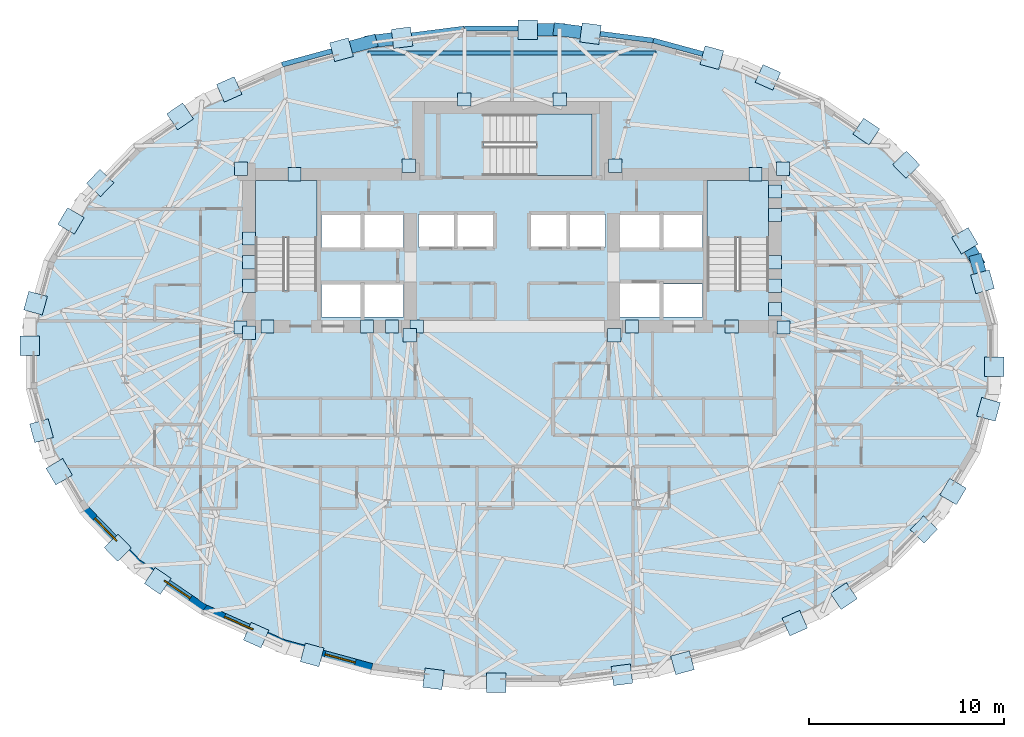
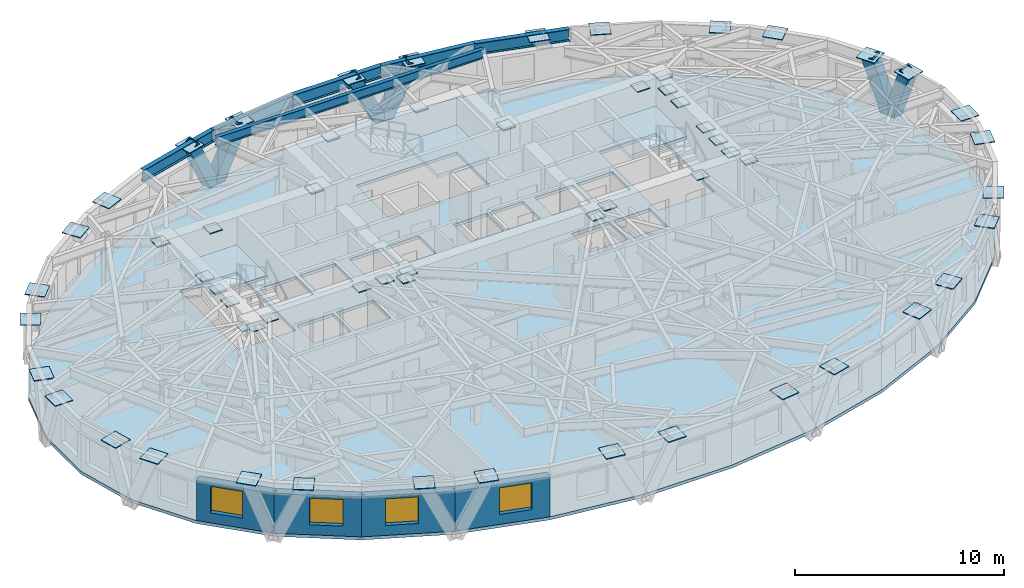
# One storey, part 5 of 15: 59 plates, 6 beams, 6 members, 4 slabs, 4 walls, 4 windows, 4 openings, 3 elements without a shape of their own.
"""IFC4 building model written with IfcOpenShell, lengths in metres."""

from ifc_helpers import new_model, si_unit, direction, frame, frame_2d, origin, origin_2d, place, context, subcontext, project, spatial, polyline, rectangle, hollow_rectangle, i_section, outline, extrude, material, layer, layer_set, material_profile, profile_set, type_object, element, fill, aggregate, save


model = new_model("IFC4")

# Units and contexts
model_context = context("Model", 3, precision=1e-05, world=origin(), true_north=direction((0.0, 1.0)))
body_context = subcontext(model_context, "Body", "Model", "MODEL_VIEW")
ifc_project = project(units=[si_unit("LENGTHUNIT", "METRE"), si_unit("AREAUNIT", "SQUARE_METRE"), si_unit("VOLUMEUNIT", "CUBIC_METRE"), si_unit("PLANEANGLEUNIT", "RADIAN"), si_unit("MASSUNIT", "GRAM", prefix="KILO")], contexts=[model_context])

# Site, building, storey
site_placement = place(None, origin())
site = spatial("IfcSite", under=ifc_project, at=site_placement, CompositionType="ELEMENT")
building_placement = place(site_placement, origin())
building = spatial("IfcBuilding", under=site, at=building_placement, Name="Keldmark Tower", CompositionType="ELEMENT")
storey_placement = place(building_placement, frame((0.0, 0.0, 166.199951171875)))
storey = spatial("IfcBuildingStorey", under=building, at=storey_placement, Name="L45", CompositionType="ELEMENT", Elevation=166.199951171875)

# Members
ifc_material_1 = material(Name="Steel ASTM A572 Grade 50", Category="steel")
ifc_material_profile_1 = material_profile(ifc_material_1, hollow_rectangle(XDim=0.64990234375, YDim=0.64990234375, WallThickness=0.0400390625, at=origin_2d()), Name="BOX650X650X40")
ifc_profile_set_1 = profile_set([ifc_material_profile_1], Name="Steel ASTM A572 Grade 50")
member_type = type_object("IfcMemberType", Name="Diagrid Zone 3 Brace BOX650X650X40", PredefinedType="BRACE", material=ifc_profile_set_1)
member_1_placement = place(storey_placement, frame((23.797119140625, 4.89990234375, -0.260009765625), z_axis=(0.090314947271, -0.323197970047, 0.942011827132), x_axis=(0.963103534488, 0.269131161067, 0.0)))
element("IfcMember", 1, at=member_1_placement, inside=storey, type_object=member_type, Name="L45 Perimeter Diagrid Brace 01A", PredefinedType="BRACE", context=body_context, shape_type="SweptSolid", body=[
    extrude(hollow_rectangle(XDim=0.64990234375, YDim=0.64990234375, WallThickness=0.0400390625, at=origin_2d()), origin(), (0.0, 0.0, 1.0), 3.354736328125),
])
member_2_placement = place(storey_placement, frame((23.799560546875, 4.88818359375, -0.260009765625), z_axis=(-0.17962219143, 0.303875932705, 0.93562561202), x_axis=(-0.860853140724, -0.508853485894, 0.0)))
element("IfcMember", 2, at=member_2_placement, inside=storey, type_object=member_type, Name="L45 Perimeter Diagrid Brace 01B", PredefinedType="BRACE", context=body_context, shape_type="SweptSolid", body=[
    extrude(hollow_rectangle(XDim=0.64990234375, YDim=0.64990234375, WallThickness=0.0400390625, at=origin_2d()), origin(), (0.0, 0.0, 1.0), 3.377685546875),
])
member_3_placement = place(storey_placement, frame((2.421875, 16.730712890625, -0.260009765625), z_axis=(0.450753018581, -0.057875311241, 0.890770545421), x_axis=(0.127351493636, 0.991857649599, 0.0)))
element("IfcMember", 3, at=member_3_placement, inside=storey, type_object=member_type, Name="L45 Perimeter Diagrid Brace 04A", PredefinedType="BRACE", context=body_context, shape_type="SweptSolid", body=[
    extrude(hollow_rectangle(XDim=0.64990234375, YDim=0.64990234375, WallThickness=0.0400390625, at=origin_2d()), origin(), (0.0, 0.0, 1.0), 3.547607421875),
])
member_4_placement = place(storey_placement, frame((2.433349609375, 16.728515625, -0.260009765625), z_axis=(-0.457569956339, 0.0, 0.889173624809), x_axis=(0.0, -1.0, 0.0)))
element("IfcMember", 4, at=member_4_placement, inside=storey, type_object=member_type, Name="L45 Perimeter Diagrid Brace 04B", PredefinedType="BRACE", context=body_context, shape_type="SweptSolid", body=[
    extrude(hollow_rectangle(XDim=0.64990234375, YDim=0.64990234375, WallThickness=0.0400390625, at=origin_2d()), origin(), (0.0, 0.0, 1.0), 3.553955078125),
])
member_5_placement = place(storey_placement, frame((-7.23095703125, 16.112060546875, -0.260009765625), z_axis=(0.450753018581, 0.057875311241, 0.890770545421), x_axis=(-0.127351493636, 0.991857649599, 0.0)))
element("IfcMember", 5, at=member_5_placement, inside=storey, type_object=member_type, Name="L45 Perimeter Diagrid Brace 05A", PredefinedType="BRACE", context=body_context, shape_type="SweptSolid", body=[
    extrude(hollow_rectangle(XDim=0.64990234375, YDim=0.64990234375, WallThickness=0.0400390625, at=origin_2d()), origin(), (0.0, 0.0, 1.0), 3.547607421875),
])
member_6_placement = place(storey_placement, frame((-7.219482421875, 16.114501953125, -0.260009765625), z_axis=(-0.429097689767, -0.11659887232, 0.895700773479), x_axis=(0.262221871512, -0.965007611421, 0.0)))
element("IfcMember", 6, at=member_6_placement, inside=storey, type_object=member_type, Name="L45 Perimeter Diagrid Brace 05B", PredefinedType="BRACE", context=body_context, shape_type="SweptSolid", body=[
    extrude(hollow_rectangle(XDim=0.64990234375, YDim=0.64990234375, WallThickness=0.0400390625, at=origin_2d()), origin(), (0.0, 0.0, 1.0), 3.528076171875),
])

# Beams
ifc_material_2 = material(Name="Steel ASTM A992 Grade 50", Category="steel")
ifc_material_profile_2 = material_profile(ifc_material_2, i_section(OverallWidth=0.2099609375, OverallDepth=0.537109375, WebThickness=0.010986328125, FlangeThickness=0.017333984375, at=origin_2d()), Name="W21X68")
ifc_profile_set_2 = profile_set([ifc_material_profile_2], Name="Steel ASTM A992 Grade 50")
beam_type_1 = type_object("IfcBeamType", Name="Radial Tie Girder W21X68", PredefinedType="BEAM", material=ifc_profile_set_2)
beam_1_placement = place(storey_placement, frame((-7.376953125, 15.538330078125, 2.75146484375), z_axis=(1.0, 0.0, 0.0), x_axis=(0.0, 1.0, 0.0)))
element("IfcBeam", 7, at=beam_1_placement, inside=storey, type_object=beam_type_1, Name="L45 North Outer Header Girder FG-TCN-H1", PredefinedType="BEAM", context=body_context, shape_type="SweptSolid", body=[
    extrude(i_section(OverallWidth=0.2099609375, OverallDepth=0.537109375, WebThickness=0.010986328125, FlangeThickness=0.017333984375, at=origin_2d()), origin(), (0.0, 0.0, 1.0), 14.75390625),
])
ifc_material_3 = material(Name="Steel ASTM A992 Grade 50", Category="steel")
ifc_material_profile_3 = material_profile(ifc_material_3, i_section(OverallWidth=0.256103515625, OverallDepth=0.693115234375, WebThickness=0.014404296875, FlangeThickness=0.023681640625, at=origin_2d()), Name="W27X114")
ifc_profile_set_3 = profile_set([ifc_material_profile_3], Name="Steel ASTM A992 Grade 50")
beam_type_2 = type_object("IfcBeamType", Name="Spandrel Ring Beam W27X114", PredefinedType="SPANDREL", material=ifc_profile_set_3)
beam_2_placement = place(storey_placement, frame((11.77880859375, 14.93798828125, 2.673583984375), z_axis=(-0.965024302167, 0.26216043986, 0.0), x_axis=(-0.26216043986, -0.965024302167, 0.0)))
element("IfcBeam", 8, at=beam_2_placement, inside=storey, type_object=beam_type_2, Name="L45 Perimeter Spandrel Ring Beam SRB-06", PredefinedType="SPANDREL", context=body_context, shape_type="SweptSolid", body=[
    extrude(i_section(OverallWidth=0.256103515625, OverallDepth=0.693115234375, WebThickness=0.014404296875, FlangeThickness=0.023681640625, at=origin_2d()), origin(), (0.0, 0.0, 1.0), 4.70654296875),
])
beam_3_placement = place(storey_placement, frame((7.23681640625, 16.171875, 2.673583984375), z_axis=(-0.991852091732, 0.127394772761, 0.0), x_axis=(-0.127394772761, -0.991852091732, 0.0)))
element("IfcBeam", 9, at=beam_3_placement, inside=storey, type_object=beam_type_2, Name="L45 Perimeter Spandrel Ring Beam SRB-07", PredefinedType="SPANDREL", context=body_context, shape_type="SweptSolid", body=[
    extrude(i_section(OverallWidth=0.256103515625, OverallDepth=0.693115234375, WebThickness=0.014404296875, FlangeThickness=0.023681640625, at=origin_2d()), origin(), (0.0, 0.0, 1.0), 4.8369140625),
])
beam_4_placement = place(storey_placement, frame((2.439208984375, 16.7880859375, 2.673583984375), z_axis=(-1.0, 0.0, 0.0), x_axis=(0.0, -1.0, 0.0)))
element("IfcBeam", 10, at=beam_4_placement, inside=storey, type_object=beam_type_2, Name="L45 Perimeter Spandrel Ring Beam SRB-08", PredefinedType="SPANDREL", context=body_context, shape_type="SweptSolid", body=[
    extrude(i_section(OverallWidth=0.256103515625, OverallDepth=0.693115234375, WebThickness=0.014404296875, FlangeThickness=0.023681640625, at=origin_2d()), origin(), (0.0, 0.0, 1.0), 4.87841796875),
])
beam_5_placement = place(storey_placement, frame((-2.439208984375, 16.7880859375, 2.673583984375), z_axis=(-0.991852091732, -0.127394772761, 0.0), x_axis=(0.127394772761, -0.991852091732, 0.0)))
element("IfcBeam", 11, at=beam_5_placement, inside=storey, type_object=beam_type_2, Name="L45 Perimeter Spandrel Ring Beam SRB-09", PredefinedType="SPANDREL", context=body_context, shape_type="SweptSolid", body=[
    extrude(i_section(OverallWidth=0.256103515625, OverallDepth=0.693115234375, WebThickness=0.014404296875, FlangeThickness=0.023681640625, at=origin_2d()), origin(), (0.0, 0.0, 1.0), 4.8369140625),
])
beam_6_placement = place(storey_placement, frame((-7.23681640625, 16.171875, 2.673583984375), z_axis=(-0.965024302167, -0.26216043986, 0.0), x_axis=(0.26216043986, -0.965024302167, 0.0)))
element("IfcBeam", 12, at=beam_6_placement, inside=storey, type_object=beam_type_2, Name="L45 Perimeter Spandrel Ring Beam SRB-10", PredefinedType="SPANDREL", context=body_context, shape_type="SweptSolid", body=[
    extrude(i_section(OverallWidth=0.256103515625, OverallDepth=0.693115234375, WebThickness=0.014404296875, FlangeThickness=0.023681640625, at=origin_2d()), origin(), (0.0, 0.0, 1.0), 4.70654296875),
])

# Plates
ifc_material_4 = material(Name="Steel ASTM A572 Grade 50", Category="steel")
ifc_layer_1 = layer(ifc_material_4, 0.06005859375)
ifc_layer_set_1 = layer_set([ifc_layer_1], Name="Steel ASTM A572 Grade 50")
plate_type_1 = type_object("IfcPlateType", Name="Belt Truss Kink Node Assembly KN01 60 mm", PredefinedType="USERDEFINED", material=ifc_layer_set_1)
for number, where, z_axis, x_axis, name in (
    (13, (13.91162109375, 1.473388671875, 2.72412109375), (0.0, 0.0, 1.0), (1.0, 0.0, 0.0), "L45 Core Wall Cast-In Embed Plate 1319"),
    (14, (13.878173828125, 9.608154296875, 2.72412109375), (0.0, 0.0, 1.0), (1.0, 0.0, 0.0), "L45 Core Wall Cast-In Embed Plate 1320"),
    (15, (5.28515625, 9.758544921875, 2.72412109375), (0.0, 0.0, 1.0), (1.0, 0.0, 0.0), "L45 Core Wall Cast-In Embed Plate 1321"),
    (16, (-5.28515625, 9.758544921875, 2.72412109375), (0.0, 0.0, 1.0), (1.0, 0.0, 0.0), "L45 Core Wall Cast-In Embed Plate 1322"),
    (17, (-13.878173828125, 9.608154296875, 2.72412109375), (0.0, 0.0, 1.0), (1.0, 0.0, 0.0), "L45 Core Wall Cast-In Embed Plate 1323"),
    (18, (-13.91162109375, 1.473388671875, 2.72412109375), (0.0, 0.0, 1.0), (1.0, 0.0, 0.0), "L45 Core Wall Cast-In Embed Plate 1324"),
    (19, (-5.24072265625, 1.08251953125, 2.72412109375), (0.0, 0.0, 1.0), (1.0, 0.0, 0.0), "L45 Core Wall Cast-In Embed Plate 1325"),
    (20, (5.24072265625, 1.08251953125, 2.72412109375), (0.0, 0.0, 1.0), (1.0, 0.0, 0.0), "L45 Core Wall Cast-In Embed Plate 1326"),
    (21, (13.47509765625, 7.235595703125, 2.72412109375), (0.0, 0.0, 1.0), (1.0, 0.0, 0.0), "L45 Core Wall Cast-In Embed Plate 1327"),
    (22, (-13.47509765625, 3.6142578125, 2.72412109375), (0.0, 0.0, 1.0), (1.0, 0.0, 0.0), "L45 Core Wall Cast-In Embed Plate 1328"),
    (23, (11.25, 1.52490234375, 2.72412109375), (0.0, 0.0, 1.0), (1.0, 0.0, 0.0), "L45 Core Wall Cast-In Embed Plate 1329"),
    (24, (13.47509765625, 4.8212890625, 2.72412109375), (0.0, 0.0, 1.0), (1.0, 0.0, 0.0), "L45 Core Wall Cast-In Embed Plate 1330"),
    (25, (13.47509765625, 8.44287109375, 2.72412109375), (0.0, 0.0, 1.0), (1.0, 0.0, 0.0), "L45 Core Wall Cast-In Embed Plate 1331"),
    (26, (12.468017578125, 9.324951171875, 2.72412109375), (0.0, 0.0, 1.0), (1.0, 0.0, 0.0), "L45 Core Wall Cast-In Embed Plate 1332"),
    (27, (-13.47509765625, 6.028564453125, 2.72412109375), (0.0, 0.0, 1.0), (1.0, 0.0, 0.0), "L45 Core Wall Cast-In Embed Plate 1333"),
    (28, (-13.47509765625, 1.199951171875, 2.72412109375), (0.0, 0.0, 1.0), (1.0, 0.0, 0.0), "L45 Core Wall Cast-In Embed Plate 1334"),
    (29, (-12.52490234375, 1.52490234375, 2.72412109375), (0.0, 0.0, 1.0), (1.0, 0.0, 0.0), "L45 Core Wall Cast-In Embed Plate 1335"),
    (30, (-6.14990234375, 1.52490234375, 2.72412109375), (0.0, 0.0, 1.0), (1.0, 0.0, 0.0), "L45 Core Wall Cast-In Embed Plate 1336"),
    (31, (-7.425048828125, 1.52490234375, 2.72412109375), (0.0, 0.0, 1.0), (1.0, 0.0, 0.0), "L45 Core Wall Cast-In Embed Plate 1337"),
    (32, (6.14990234375, 1.52490234375, 2.72412109375), (0.0, 0.0, 1.0), (1.0, 0.0, 0.0), "L45 Core Wall Cast-In Embed Plate 1338"),
    (33, (-4.875, 1.52490234375, 2.72412109375), (0.0, 0.0, 1.0), (1.0, 0.0, 0.0), "L45 Core Wall Cast-In Embed Plate 1339"),
    (34, (13.47509765625, 2.406982421875, 2.72412109375), (0.0, 0.0, 1.0), (1.0, 0.0, 0.0), "L45 Core Wall Cast-In Embed Plate 1340"),
    (35, (13.47509765625, 3.6142578125, 2.72412109375), (0.0, 0.0, 1.0), (1.0, 0.0, 0.0), "L45 Core Wall Cast-In Embed Plate 1341"),
    (36, (2.439208984375, 13.14990234375, 2.72412109375), (0.0, 0.0, 1.0), (1.0, 0.0, 0.0), "L45 Core Wall Cast-In Embed Plate 1342"),
    (37, (-2.439208984375, 13.14990234375, 2.72412109375), (0.0, 0.0, 1.0), (1.0, 0.0, 0.0), "L45 Core Wall Cast-In Embed Plate 1343"),
    (38, (-11.1357421875, 9.324951171875, 2.72412109375), (0.0, 0.0, 1.0), (1.0, 0.0, 0.0), "L45 Core Wall Cast-In Embed Plate 1344"),
    (39, (-13.47509765625, 4.8212890625, 2.72412109375), (0.0, 0.0, 1.0), (1.0, 0.0, 0.0), "L45 Core Wall Cast-In Embed Plate 1345"),
):
    element("IfcPlate", number, at=place(storey_placement, frame(where, z_axis=z_axis, x_axis=x_axis)), inside=storey, type_object=plate_type_1, Name=name, ObjectType="CAP PLATE", PredefinedType="USERDEFINED", context=body_context, shape_type="SweptSolid", body=[
        extrude(rectangle(XDim=0.679931640625, YDim=0.679931640625, at=origin_2d()), origin(), (0.0, 0.0, 1.0), 0.054931640625),
    ])
ifc_material_5 = material(Name="Steel ASTM A572 Grade 50", Category="steel")
ifc_layer_2 = layer(ifc_material_5, 0.044921875)
ifc_layer_set_2 = layer_set([ifc_layer_2], Name="Steel ASTM A572 Grade 50")
plate_type_2 = type_object("IfcPlateType", Name="Diagrid Node Assembly DN04 45 mm", PredefinedType="USERDEFINED", material=ifc_layer_set_2)
for number, where, z_axis, x_axis, name in (
    (40, (24.10009765625, 3.815673828125, 2.877685546875), (0.0, 0.0, 1.0), (-0.269256011385, 0.963068637394, 0.0), "L45 Diagrid Node Assembly 01"),
    (41, (23.19287109375, 5.91455078125, 2.877685546875), (0.0, 0.0, 1.0), (-0.508891180174, 0.860830858381, 0.0), "L45 Diagrid Node Assembly 02"),
    (42, (20.192626953125, 9.8095703125, 2.877685546875), (0.0, 0.0, 1.0), (-0.694909425092, 0.719097275004, 0.0), "L45 Diagrid Node Assembly 03"),
    (43, (18.14697265625, 11.510498046875, 2.877685546875), (0.0, 0.0, 1.0), (-0.827766671236, 0.56107248907, 0.0), "L45 Diagrid Node Assembly 04"),
    (44, (13.10791015625, 14.28466796875, 2.877685546875), (0.0, 0.0, 1.0), (-0.913900054426, 0.405939269498, 0.0), "L45 Diagrid Node Assembly 05"),
    (45, (10.236572265625, 15.29638671875, 2.877685546875), (0.0, 0.0, 1.0), (-0.965016494472, 0.262189178641, 0.0), "L45 Diagrid Node Assembly 06"),
    (46, (4.02099609375, 16.525390625, 2.877685546875), (0.0, 0.0, 1.0), (-0.991850028246, 0.12741083733, 0.0), "L45 Diagrid Node Assembly 07"),
    (47, (0.80712890625, 16.728515625, 2.877685546875), (0.0, 0.0, 1.0), (-1.0, 0.0, 0.0), "L45 Diagrid Node Assembly 08"),
    (48, (-5.6318359375, 16.3173828125, 2.877685546875), (0.0, 0.0, 1.0), (-0.991850028246, -0.12741083733, 0.0), "L45 Diagrid Node Assembly 09"),
    (49, (-8.7333984375, 15.703125, 2.877685546875), (0.0, 0.0, 1.0), (-0.965016494472, -0.262189178641, 0.0), "L45 Diagrid Node Assembly 10"),
    (50, (-14.484619140625, 13.6708984375, 2.877685546875), (0.0, 0.0, 1.0), (-0.913900054426, -0.405939269498, 0.0), "L45 Diagrid Node Assembly 11"),
    (51, (-16.99853515625, 12.286376953125, 2.877685546875), (0.0, 0.0, 1.0), (-0.827766671236, -0.56107248907, 0.0), "L45 Diagrid Node Assembly 12"),
    (52, (-21.0947265625, 8.873291015625, 2.877685546875), (0.0, 0.0, 1.0), (-0.694909425092, -0.719097275004, 0.0), "L45 Diagrid Node Assembly 13"),
    (53, (-22.590576171875, 6.929931640625, 2.877685546875), (0.0, 0.0, 1.0), (-0.508891180174, -0.860830858381, 0.0), "L45 Diagrid Node Assembly 14"),
    (54, (-24.405517578125, 2.72021484375, 2.877685546875), (0.0, 0.0, 1.0), (-0.269256011385, -0.963068637394, 0.0), "L45 Diagrid Node Assembly 15"),
    (55, (-24.706298828125, 0.54541015625, 2.877685546875), (0.0, 0.0, 1.0), (0.0, -1.0, 0.0), "L45 Diagrid Node Assembly 16"),
    (56, (-24.10009765625, -3.815673828125, 2.877685546875), (0.0, 0.0, 1.0), (0.269256011385, -0.963068637394, 0.0), "L45 Diagrid Node Assembly 17"),
    (57, (-23.19287109375, -5.91455078125, 2.877685546875), (0.0, 0.0, 1.0), (0.508891180174, -0.860830858381, 0.0), "L45 Diagrid Node Assembly 18"),
    (58, (-20.192626953125, -9.8095703125, 2.877685546875), (0.0, 0.0, 1.0), (0.694909425092, -0.719097275004, 0.0), "L45 Diagrid Node Assembly 19"),
    (59, (-18.14697265625, -11.510498046875, 2.877685546875), (0.0, 0.0, 1.0), (0.827766671236, -0.56107248907, 0.0), "L45 Diagrid Node Assembly 20"),
    (60, (-13.10791015625, -14.28466796875, 2.877685546875), (0.0, 0.0, 1.0), (0.913900054426, -0.405939269498, 0.0), "L45 Diagrid Node Assembly 21"),
    (61, (-10.236572265625, -15.29638671875, 2.877685546875), (0.0, 0.0, 1.0), (0.965016494472, -0.262189178641, 0.0), "L45 Diagrid Node Assembly 22"),
    (62, (-4.02099609375, -16.525390625, 2.877685546875), (0.0, 0.0, 1.0), (0.991850028246, -0.12741083733, 0.0), "L45 Diagrid Node Assembly 23"),
    (63, (-0.80712890625, -16.728515625, 2.877685546875), (0.0, 0.0, 1.0), (1.0, 0.0, 0.0), "L45 Diagrid Node Assembly 24"),
    (64, (5.6318359375, -16.3173828125, 2.877685546875), (0.0, 0.0, 1.0), (0.991850028246, 0.12741083733, 0.0), "L45 Diagrid Node Assembly 25"),
    (65, (8.7333984375, -15.703125, 2.877685546875), (0.0, 0.0, 1.0), (0.965016494472, 0.262189178641, 0.0), "L45 Diagrid Node Assembly 26"),
    (66, (14.484619140625, -13.6708984375, 2.877685546875), (0.0, 0.0, 1.0), (0.913900054426, 0.405939269498, 0.0), "L45 Diagrid Node Assembly 27"),
    (67, (16.99853515625, -12.286376953125, 2.877685546875), (0.0, 0.0, 1.0), (0.827766671236, 0.56107248907, 0.0), "L45 Diagrid Node Assembly 28"),
    (68, (21.0947265625, -8.873291015625, 2.877685546875), (0.0, 0.0, 1.0), (0.694909425092, 0.719097275004, 0.0), "L45 Diagrid Node Assembly 29"),
    (69, (22.590576171875, -6.929931640625, 2.877685546875), (0.0, 0.0, 1.0), (0.508891180174, 0.860830858381, 0.0), "L45 Diagrid Node Assembly 30"),
    (70, (24.405517578125, -2.72021484375, 2.877685546875), (0.0, 0.0, 1.0), (0.269256011385, 0.963068637394, 0.0), "L45 Diagrid Node Assembly 31"),
    (71, (24.706298828125, -0.54541015625, 2.877685546875), (0.0, 0.0, 1.0), (0.0, 1.0, 0.0), "L45 Diagrid Node Assembly 32"),
):
    element("IfcPlate", number, at=place(storey_placement, frame(where, z_axis=z_axis, x_axis=x_axis)), inside=storey, type_object=plate_type_2, Name=name, ObjectType="GUSSET", PredefinedType="USERDEFINED", context=body_context, shape_type="SweptSolid", body=[
        extrude(rectangle(XDim=0.989990234375, YDim=0.989990234375, at=origin_2d()), origin(), (0.0, 0.0, 1.0), 0.044921875),
    ])

# Slab
ifc_material_6 = material(Name="Concrete C35/45", Category="concrete")
ifc_layer_3 = layer(ifc_material_6, 0.179931640625)
ifc_layer_set_3 = layer_set([ifc_layer_3], Name="Concrete C35/45")
slab_type_1 = type_object("IfcSlabType", Name="Hotel and Residential Slab 180 mm", PredefinedType="FLOOR", material=ifc_layer_set_3)
slab_1_placement = place(storey_placement, frame((0.0, 0.0, -0.179931640625)))
element("IfcSlab", 72, at=slab_1_placement, inside=storey, type_object=slab_type_1, Name="L45 Composite Structural Floor Slab", PredefinedType="FLOOR", context=body_context, shape_type="SweptSolid", body=[
    extrude(outline(polyline([(24.76611328125, 1.653564453125), (23.85693359375, 4.90576171875), (22.036865234375, 7.984619140625), (19.349853515625, 10.7646484375), (15.8798828125, 13.11669921875), (11.77880859375, 14.93798828125), (7.23681640625, 16.171875), (2.439208984375, 16.7880859375), (-2.439208984375, 16.7880859375), (-7.23681640625, 16.171875), (-11.77880859375, 14.93798828125), (-15.8798828125, 13.11669921875), (-19.349853515625, 10.7646484375), (-22.036865234375, 7.984619140625), (-23.85693359375, 4.90576171875), (-24.76611328125, 1.653564453125), (-24.76611328125, -1.653564453125), (-23.85693359375, -4.90576171875), (-22.036865234375, -7.984619140625), (-19.349853515625, -10.7646484375), (-15.8798828125, -13.11669921875), (-11.77880859375, -14.93798828125), (-7.23681640625, -16.171875), (-2.439208984375, -16.7880859375), (2.439208984375, -16.7880859375), (7.23681640625, -16.171875), (11.77880859375, -14.93798828125), (15.8798828125, -13.11669921875), (19.349853515625, -10.7646484375), (22.036865234375, -7.984619140625), (23.85693359375, -4.90576171875), (24.76611328125, -1.653564453125), (24.76611328125, 1.653564453125)]), holes=[polyline([(-10.0, 3.385009765625), (-10.0, 9.0), (-13.14990234375, 9.0), (-13.14990234375, 3.385009765625), (-10.0, 3.385009765625)]), polyline([(13.14990234375, 3.385009765625), (13.14990234375, 9.0), (10.0, 9.0), (10.0, 3.385009765625), (13.14990234375, 3.385009765625)]), polyline([(-1.43994140625, 9.25), (4.10498046875, 9.25), (4.10498046875, 12.39990234375), (-1.43994140625, 12.39990234375), (-1.43994140625, 9.25)]), polyline([(-9.75, 2.0), (-7.75, 2.0), (-7.75, 3.699951171875), (-9.75, 3.699951171875), (-9.75, 2.0)]), polyline([(7.75, 2.0), (9.75, 2.0), (9.75, 3.699951171875), (7.75, 3.699951171875), (7.75, 2.0)]), polyline([(5.449951171875, 2.0), (7.550048828125, 2.0), (7.550048828125, 3.75), (5.449951171875, 3.75), (5.449951171875, 2.0)]), polyline([(-4.800048828125, 5.60009765625), (-2.949951171875, 5.60009765625), (-2.949951171875, 7.25), (-4.800048828125, 7.25), (-4.800048828125, 5.60009765625)]), polyline([(-2.800048828125, 5.60009765625), (-0.949951171875, 5.60009765625), (-0.949951171875, 7.25), (-2.800048828125, 7.25), (-2.800048828125, 5.60009765625)]), polyline([(0.949951171875, 5.60009765625), (2.800048828125, 5.60009765625), (2.800048828125, 7.25), (0.949951171875, 7.25), (0.949951171875, 5.60009765625)]), polyline([(2.949951171875, 5.60009765625), (4.800048828125, 5.60009765625), (4.800048828125, 7.25), (2.949951171875, 7.25), (2.949951171875, 5.60009765625)]), polyline([(-9.75, 5.550048828125), (-7.75, 5.550048828125), (-7.75, 7.25), (-9.75, 7.25), (-9.75, 5.550048828125)]), polyline([(-7.550048828125, 5.550048828125), (-5.550048828125, 5.550048828125), (-5.550048828125, 7.25), (-7.550048828125, 7.25), (-7.550048828125, 5.550048828125)]), polyline([(-7.550048828125, 2.0), (-5.550048828125, 2.0), (-5.550048828125, 3.699951171875), (-7.550048828125, 3.699951171875), (-7.550048828125, 2.0)]), polyline([(5.449951171875, 5.550048828125), (7.550048828125, 5.550048828125), (7.550048828125, 7.25), (5.449951171875, 7.25), (5.449951171875, 5.550048828125)]), polyline([(7.75, 5.550048828125), (9.75, 5.550048828125), (9.75, 7.25), (7.75, 7.25), (7.75, 5.550048828125)])]), origin(), (0.0, 0.0, 1.0), 0.179931640625),
])

# Stair, slab
ifc_material_7 = material(Name="Concrete C40/50", Category="concrete")
stair_type = type_object("IfcStairType", Name="Precast Concrete Core Exit Stair", PredefinedType="HALF_TURN_STAIR", material=ifc_material_7)
stair_1_placement = place(storey_placement, origin())
stair_1 = element("IfcStair", 73, at=stair_1_placement, inside=storey, type_object=stair_type, Name="L45 Exit Stair ST1", PredefinedType="HALF_TURN_STAIR")
ifc_material_8 = material(Name="Concrete C40/50", Category="concrete")
ifc_layer_4 = layer(ifc_material_8, 0.199951171875)
ifc_layer_set_4 = layer_set([ifc_layer_4], Name="Concrete C40/50")
slab_type_2 = type_object("IfcSlabType", Name="Reinforced Concrete Stair Landing 200 mm", PredefinedType="LANDING", material=ifc_layer_set_4)
slab_2_placement = place(storey_placement, frame((0.0, 0.0, 1.400146484375)))
slab_2 = element("IfcSlab", 74, at=slab_2_placement, type_object=slab_type_2, Name="ST1 landing 1", PredefinedType="LANDING", context=body_context, shape_type="SweptSolid", body=[
    extrude(outline(polyline([(-10.0, 6.050048828125), (-10.0, 9.0), (-13.14990234375, 9.0), (-13.14990234375, 6.050048828125), (-10.0, 6.050048828125)])), origin(), (0.0, 0.0, 1.0), 0.199951171875),
])
aggregate(stair_1, [slab_2])

stair_2_placement = place(storey_placement, origin())
stair_2 = element("IfcStair", 75, at=stair_2_placement, inside=storey, type_object=stair_type, Name="L45 Exit Stair ST2", PredefinedType="HALF_TURN_STAIR")
slab_3_placement = place(storey_placement, frame((0.0, 0.0, 1.400146484375)))
slab_3 = element("IfcSlab", 76, at=slab_3_placement, type_object=slab_type_2, Name="ST2 landing 1", PredefinedType="LANDING", context=body_context, shape_type="SweptSolid", body=[
    extrude(outline(polyline([(13.14990234375, 6.050048828125), (13.14990234375, 9.0), (10.0, 9.0), (10.0, 6.050048828125), (13.14990234375, 6.050048828125)])), origin(), (0.0, 0.0, 1.0), 0.199951171875),
])
aggregate(stair_2, [slab_3])

stair_3_placement = place(storey_placement, origin())
stair_3 = element("IfcStair", 77, at=stair_3_placement, inside=storey, type_object=stair_type, Name="L45 Exit Stair ST3", PredefinedType="HALF_TURN_STAIR")
slab_4_placement = place(storey_placement, frame((0.0, 0.0, 1.400146484375)))
slab_4 = element("IfcSlab", 78, at=slab_4_placement, type_object=slab_type_2, Name="ST3 landing 1", PredefinedType="LANDING", context=body_context, shape_type="SweptSolid", body=[
    extrude(outline(polyline([(1.22509765625, 9.25), (4.10498046875, 9.25), (4.10498046875, 12.39990234375), (1.22509765625, 12.39990234375), (1.22509765625, 9.25)])), origin(), (0.0, 0.0, 1.0), 0.199951171875),
])
aggregate(stair_3, [slab_4])

# Wall, opening, window
ifc_material_9 = material(Name="Ironspot Manganese Brick and Kasota Buff Limestone Spandrel Assembly", Category="masonry")
ifc_layer_5 = layer(ifc_material_9, 0.43994140625)
ifc_layer_set_5 = layer_set([ifc_layer_5], Name="Ironspot Manganese Brick and Kasota Buff Limestone Spandrel Assembly")
wall_type = type_object("IfcWallType", Name="Tower Brick Pier and Spandrel Wall 440 mm", PredefinedType="STANDARD", material=ifc_layer_set_5)
wall_1_placement = place(storey_placement, frame((-19.191650390625, -10.61181640625, 0.0), z_axis=(0.0, 0.0, 1.0), x_axis=(-0.694975307772, 0.719033602544, 0.0)))
wall_1 = element("IfcWall", 79, at=wall_1_placement, inside=storey, type_object=wall_type, Name="L45 Exterior Brick and Spandrel Wall 19", PredefinedType="STANDARD", context=body_context, shape_type="SweptSolid", body=[
    extrude(rectangle(XDim=3.866455078125, YDim=0.43994140625, at=frame_2d((1.93310546875, 0.0))), origin(), (0.0, 0.0, 1.0), 2.31494140625),
])
opening_1_placement = place(wall_1_placement, frame((1.5751953125, 0.0, 0.580078125)))
opening_1 = element("IfcOpeningElement", 80, at=opening_1_placement, cuts=wall_1, Name="Opening W-04", PredefinedType="OPENING", context=body_context, shape_type="SweptSolid", body=[
    extrude(rectangle(XDim=1.60009765625, YDim=1.550048828125, at=frame_2d((0.800048828125, 0.77490234375))), frame((0.0, 0.22998046875, 0.0), z_axis=(0.0, -1.0, 0.0), x_axis=(1.0, 0.0, 0.0)), (0.0, 0.0, 1.0), 0.4599609375),
])
ifc_material_10 = material(Name="Thermally Broken Anodized Aluminum and Triple Low-E Argon Glazing", Category="aluminium")
window_type = type_object("IfcWindowType", Name="Hotel Deep-Set Operable Window 1600x1550", PartitioningType="DOUBLE_PANEL_HORIZONTAL", PredefinedType="WINDOW", material=ifc_material_10)
window_1_placement = place(opening_1_placement, origin())
window_1 = element("IfcWindow", 81, at=window_1_placement, inside=storey, type_object=window_type, Name="L45 Deep-Set Window 19", OverallHeight=1.550048828125, OverallWidth=1.60009765625, PartitioningType="SINGLE_PANEL", PredefinedType="WINDOW", context=body_context, shape_type="SweptSolid", body=[
    extrude(rectangle(XDim=1.60009765625, YDim=1.550048828125, at=frame_2d((0.800048828125, 0.77490234375))), frame((0.0, -0.010009765625, 0.0), z_axis=(0.0, -1.0, 0.0), x_axis=(1.0, 0.0, 0.0)), (0.0, 0.0, 1.0), 0.06005859375),
])
fill(opening_1, window_1)

wall_2_placement = place(storey_placement, frame((-15.756591796875, -12.9345703125, 0.0), z_axis=(0.0, 0.0, 1.0), x_axis=(-0.827760762475, 0.561081206338, 0.0)))
wall_2 = element("IfcWall", 82, at=wall_2_placement, inside=storey, type_object=wall_type, Name="L45 Exterior Brick and Spandrel Wall 20", PredefinedType="STANDARD", context=body_context, shape_type="SweptSolid", body=[
    extrude(rectangle(XDim=4.19189453125, YDim=0.43994140625, at=frame_2d((2.095947265625, 0.0))), origin(), (0.0, 0.0, 1.0), 2.31494140625),
])
opening_2_placement = place(wall_2_placement, frame((0.8974609375, 0.0, 0.580078125)))
opening_2 = element("IfcOpeningElement", 83, at=opening_2_placement, cuts=wall_2, Name="Opening W-04", PredefinedType="OPENING", context=body_context, shape_type="SweptSolid", body=[
    extrude(rectangle(XDim=1.60009765625, YDim=1.550048828125, at=frame_2d((0.800048828125, 0.77490234375))), frame((0.0, 0.22998046875, 0.0), z_axis=(0.0, -1.0, 0.0), x_axis=(1.0, 0.0, 0.0)), (0.0, 0.0, 1.0), 0.4599609375),
])
window_2_placement = place(opening_2_placement, origin())
window_2 = element("IfcWindow", 84, at=window_2_placement, inside=storey, type_object=window_type, Name="L45 Deep-Set Window 20", OverallHeight=1.550048828125, OverallWidth=1.60009765625, PartitioningType="SINGLE_PANEL", PredefinedType="WINDOW", context=body_context, shape_type="SweptSolid", body=[
    extrude(rectangle(XDim=1.60009765625, YDim=1.550048828125, at=frame_2d((0.800048828125, 0.77490234375))), frame((0.0, -0.010009765625, 0.0), z_axis=(0.0, -1.0, 0.0), x_axis=(1.0, 0.0, 0.0)), (0.0, 0.0, 1.0), 0.06005859375),
])
fill(opening_2, window_2)

wall_3_placement = place(storey_placement, frame((-11.689697265625, -14.737060546875, 0.0), z_axis=(0.0, 0.0, 1.0), x_axis=(-0.913907994914, 0.405921392431, 0.0)))
wall_3 = element("IfcWall", 85, at=wall_3_placement, inside=storey, type_object=wall_type, Name="L45 Exterior Brick and Spandrel Wall 21", PredefinedType="STANDARD", context=body_context, shape_type="SweptSolid", body=[
    extrude(rectangle(XDim=4.4873046875, YDim=0.43994140625, at=frame_2d((2.24365234375, 0.0))), origin(), (0.0, 0.0, 1.0), 2.31494140625),
])
opening_3_placement = place(wall_3_placement, frame((1.7421875, 0.0, 0.580078125)))
opening_3 = element("IfcOpeningElement", 86, at=opening_3_placement, cuts=wall_3, Name="Opening W-04", PredefinedType="OPENING", context=body_context, shape_type="SweptSolid", body=[
    extrude(rectangle(XDim=1.60009765625, YDim=1.550048828125, at=frame_2d((0.800048828125, 0.77490234375))), frame((0.0, 0.22998046875, 0.0), z_axis=(0.0, -1.0, 0.0), x_axis=(1.0, 0.0, 0.0)), (0.0, 0.0, 1.0), 0.4599609375),
])
window_3_placement = place(opening_3_placement, origin())
window_3 = element("IfcWindow", 87, at=window_3_placement, inside=storey, type_object=window_type, Name="L45 Deep-Set Window 21", OverallHeight=1.550048828125, OverallWidth=1.60009765625, PartitioningType="SINGLE_PANEL", PredefinedType="WINDOW", context=body_context, shape_type="SweptSolid", body=[
    extrude(rectangle(XDim=1.60009765625, YDim=1.550048828125, at=frame_2d((0.800048828125, 0.77490234375))), frame((0.0, -0.010009765625, 0.0), z_axis=(0.0, -1.0, 0.0), x_axis=(1.0, 0.0, 0.0)), (0.0, 0.0, 1.0), 0.06005859375),
])
fill(opening_3, window_3)

wall_4_placement = place(storey_placement, frame((-7.17919921875, -15.95947265625, 0.0), z_axis=(0.0, 0.0, 1.0), x_axis=(-0.965037424263, 0.262112132058, 0.0)))
wall_4 = element("IfcWall", 88, at=wall_4_placement, inside=storey, type_object=wall_type, Name="L45 Exterior Brick and Spandrel Wall 22", PredefinedType="STANDARD", context=body_context, shape_type="SweptSolid", body=[
    extrude(rectangle(XDim=4.70654296875, YDim=0.43994140625, at=frame_2d((2.353271484375, 0.0))), origin(), (0.0, 0.0, 1.0), 2.31494140625),
])
opening_4_placement = place(wall_4_placement, frame((0.888916015625, 0.0, 0.580078125)))
opening_4 = element("IfcOpeningElement", 89, at=opening_4_placement, cuts=wall_4, Name="Opening W-04", PredefinedType="OPENING", context=body_context, shape_type="SweptSolid", body=[
    extrude(rectangle(XDim=1.60009765625, YDim=1.550048828125, at=frame_2d((0.800048828125, 0.77490234375))), frame((0.0, 0.22998046875, 0.0), z_axis=(0.0, -1.0, 0.0), x_axis=(1.0, 0.0, 0.0)), (0.0, 0.0, 1.0), 0.4599609375),
])
window_4_placement = place(opening_4_placement, origin())
window_4 = element("IfcWindow", 90, at=window_4_placement, inside=storey, type_object=window_type, Name="L45 Deep-Set Window 22", OverallHeight=1.550048828125, OverallWidth=1.60009765625, PartitioningType="SINGLE_PANEL", PredefinedType="WINDOW", context=body_context, shape_type="SweptSolid", body=[
    extrude(rectangle(XDim=1.60009765625, YDim=1.550048828125, at=frame_2d((0.800048828125, 0.77490234375))), frame((0.0, -0.010009765625, 0.0), z_axis=(0.0, -1.0, 0.0), x_axis=(1.0, 0.0, 0.0)), (0.0, 0.0, 1.0), 0.06005859375),
])
fill(opening_4, window_4)

save(model, "model.ifc")
